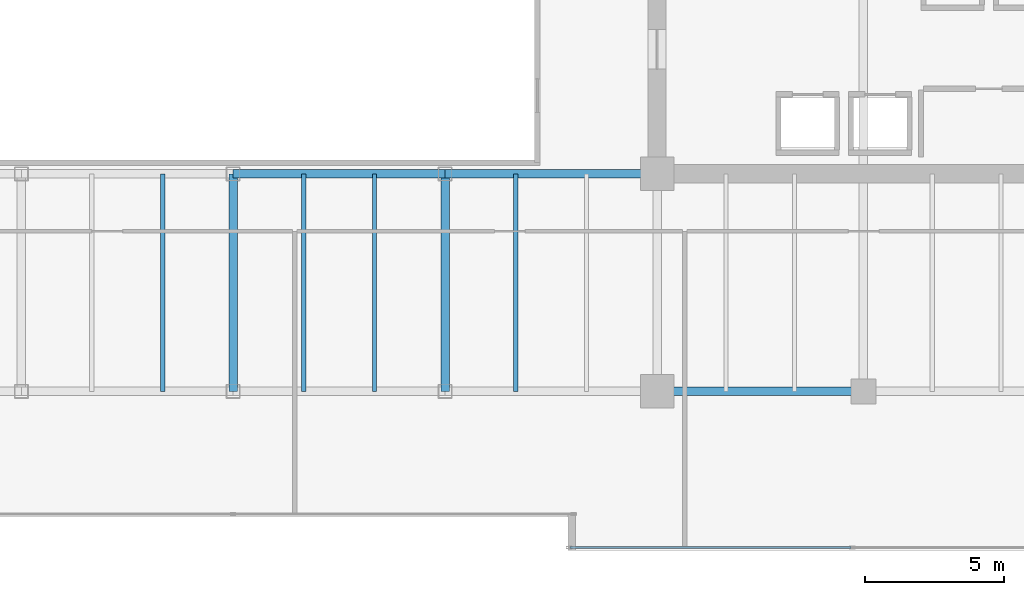
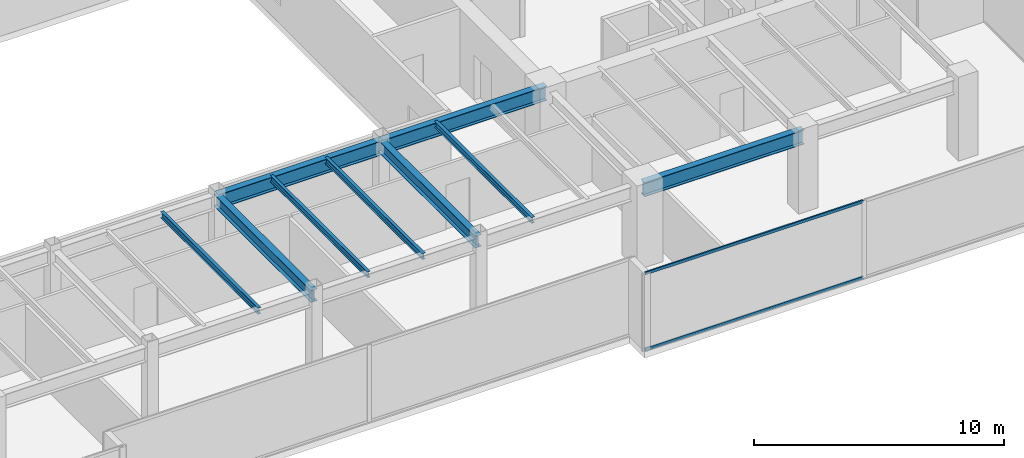
# One storey, part 11 of 30: 9 beams, 2 members, 1 element without a shape of its own.
"""IFC4 building model written with IfcOpenShell, lengths in metres."""

from ifc_helpers import new_model, si_unit, direction, frame, origin, origin_2d, place, context, subcontext, project, spatial, hollow_rectangle, i_section, extrude, source, transform, mapped, material, layer, layer_set, material_profile, profile_set, type_object, type_shapes, element, aggregate, save


model = new_model("IFC4")

# Units and contexts
model_context = context("Model", 3, precision=1e-05, world=origin(), true_north=direction((0.0, 1.0)))
body_context = subcontext(model_context, "Body", "Model", "MODEL_VIEW")
ifc_project = project(units=[si_unit("LENGTHUNIT", "METRE"), si_unit("AREAUNIT", "SQUARE_METRE"), si_unit("VOLUMEUNIT", "CUBIC_METRE"), si_unit("PLANEANGLEUNIT", "RADIAN"), si_unit("MASSUNIT", "GRAM", prefix="KILO")], contexts=[model_context])

# Site, building, storey
site_placement = place(None, origin())
site = spatial("IfcSite", under=ifc_project, at=site_placement, CompositionType="ELEMENT")
building_placement = place(site_placement, origin())
building = spatial("IfcBuilding", under=site, at=building_placement, Name="Haelvirn Gate Laboratories", CompositionType="ELEMENT")
storey_placement = place(building_placement, frame((0.0, 0.0, 187.10009765625)))
storey = spatial("IfcBuildingStorey", under=building, at=storey_placement, Name="L45", CompositionType="ELEMENT", Elevation=187.10009765625)

# Beams
ifc_material_1 = material(Name="Steel SM355", Category="steel")
ifc_material_profile_1 = material_profile(ifc_material_1, i_section(OverallWidth=0.300048828125, OverallDepth=0.699951171875, WebThickness=0.012939453125, FlangeThickness=0.02392578125, at=origin_2d()), Name="H-700x300x13x24")
ifc_profile_set_1 = profile_set([ifc_material_profile_1], Name="Steel SM355")
beam_type_1 = type_object("IfcBeamType", Name="BM-G-700", PredefinedType="BEAM", material=ifc_profile_set_1)
shared_shape_1 = source(origin(), body_context, "Body", "SweptSolid", [
    extrude(i_section(OverallWidth=0.300048828125, OverallDepth=0.699951171875, WebThickness=0.012939453125, FlangeThickness=0.02392578125, at=origin_2d()), origin(), (0.0, 0.0, 1.0), 7.39990234375),
])
beam_placement = place(storey_placement, frame((52.60009765625, 7.0, 3.43994140625), z_axis=(1.0, 0.0, 0.0), x_axis=(0.0, 1.0, 0.0)))
element("IfcBeam", 1, at=beam_placement, inside=storey, type_object=beam_type_1, Name="L45 Primary Girder Y7.0 (52.6-60.0)", PredefinedType="BEAM", context=body_context, shape_type="MappedRepresentation", body=[
    mapped(shared_shape_1, transform((0.0, 0.0, 0.0), scale=1.0)),
])
shared_shape_2 = source(origin(), body_context, "Body", "SweptSolid", [
    extrude(i_section(OverallWidth=0.300048828125, OverallDepth=0.699951171875, WebThickness=0.012939453125, FlangeThickness=0.02392578125, at=origin_2d()), origin(), (0.0, 0.0, 1.0), 7.60009765625),
])
type_shapes(beam_type_1, [shared_shape_1, shared_shape_2])
for number, where, z_axis, x_axis, name in (
    (2, (37.39990234375, 14.800048828125, 3.43994140625), (1.0, 0.0, 0.0), (0.0, 1.0, 0.0), "L45 Primary Girder Y14.8 (37.4-45.0)"),
    (3, (45.0, 14.800048828125, 3.43994140625), (1.0, 0.0, 0.0), (0.0, 1.0, 0.0), "L45 Primary Girder Y14.8 (45.0-52.6)"),
):
    element("IfcBeam", number, at=place(storey_placement, frame(where, z_axis=z_axis, x_axis=x_axis)), inside=storey, type_object=beam_type_1, Name=name, PredefinedType="BEAM", context=body_context, shape_type="MappedRepresentation", body=[
        mapped(shared_shape_2, transform((0.0, 0.0, 0.0), scale=1.0)),
    ])
ifc_material_profile_2 = material_profile(ifc_material_1, i_section(OverallWidth=0.14990234375, OverallDepth=0.300048828125, WebThickness=0.006591796875, FlangeThickness=0.009033203125, at=origin_2d()), Name="H-300x150x6.5x9")
ifc_profile_set_2 = profile_set([ifc_material_profile_2], Name="Steel SM355")
beam_type_2 = type_object("IfcBeamType", Name="BM-J-300", PredefinedType="JOIST", material=ifc_profile_set_2)
shared_shape_3 = source(origin(), body_context, "Body", "SweptSolid", [
    extrude(i_section(OverallWidth=0.14990234375, OverallDepth=0.300048828125, WebThickness=0.006591796875, FlangeThickness=0.009033203125, at=origin_2d()), origin(), (0.0, 0.0, 1.0), 7.800048828125),
])
type_shapes(beam_type_2, [shared_shape_3])
for number, where, z_axis, x_axis, name in (
    (4, (34.8701171875, 7.0, 3.639892578125), (0.0, 1.0, 0.0), (-1.0, 0.0, 0.0), "L45 Composite Lab Joist South X34.87"),
    (5, (39.929931640625, 7.0, 3.639892578125), (0.0, 1.0, 0.0), (-1.0, 0.0, 0.0), "L45 Composite Lab Joist South X39.93"),
    (6, (42.469970703125, 7.0, 3.639892578125), (0.0, 1.0, 0.0), (-1.0, 0.0, 0.0), "L45 Composite Lab Joist South X42.47"),
    (7, (47.530029296875, 7.0, 3.639892578125), (0.0, 1.0, 0.0), (-1.0, 0.0, 0.0), "L45 Composite Lab Joist South X47.53"),
):
    element("IfcBeam", number, at=place(storey_placement, frame(where, z_axis=z_axis, x_axis=x_axis)), inside=storey, type_object=beam_type_2, Name=name, PredefinedType="JOIST", context=body_context, shape_type="MappedRepresentation", body=[
        mapped(shared_shape_3, transform((0.0, 0.0, 0.0), scale=1.0)),
    ])
ifc_material_profile_3 = material_profile(ifc_material_1, i_section(OverallWidth=0.300048828125, OverallDepth=0.587890625, WebThickness=0.011962890625, FlangeThickness=0.02001953125, at=origin_2d()), Name="H-588x300x12x20")
ifc_profile_set_3 = profile_set([ifc_material_profile_3], Name="Steel SM355")
beam_type_3 = type_object("IfcBeamType", Name="BM-G-588", PredefinedType="BEAM", material=ifc_profile_set_3)
shared_shape_4 = source(origin(), body_context, "Body", "SweptSolid", [
    extrude(i_section(OverallWidth=0.300048828125, OverallDepth=0.587890625, WebThickness=0.011962890625, FlangeThickness=0.02001953125, at=origin_2d()), origin(), (0.0, 0.0, 1.0), 7.800048828125),
])
type_shapes(beam_type_3, [shared_shape_4])
for number, where, z_axis, x_axis, name in (
    (8, (37.39990234375, 7.0, 3.495849609375), (0.0, 1.0, 0.0), (-1.0, 0.0, 0.0), "L45 Frame Girder X37.4 (7.0-14.8)"),
    (9, (45.0, 7.0, 3.495849609375), (0.0, 1.0, 0.0), (-1.0, 0.0, 0.0), "L45 Frame Girder X45.0 (7.0-14.8)"),
):
    element("IfcBeam", number, at=place(storey_placement, frame(where, z_axis=z_axis, x_axis=x_axis)), inside=storey, type_object=beam_type_3, Name=name, PredefinedType="BEAM", context=body_context, shape_type="MappedRepresentation", body=[
        mapped(shared_shape_4, transform((0.0, 0.0, 0.0), scale=1.0)),
    ])

# Curtain wall, members
ifc_material_2 = material(Name="Anodised bronze unitised aluminium & triple low-E glass", Category="aluminium")
ifc_layer = layer(ifc_material_2, 0.179931640625, Name="CW-SYS-3")
ifc_layer_set = layer_set([ifc_layer], Name="Anodised bronze unitised aluminium & triple low-E glass")
curtain_wall_type = type_object("IfcCurtainWallType", Name="CW-SYS-3", PredefinedType="NOTDEFINED", material=ifc_layer_set)
curtain_wall_placement = place(storey_placement, origin())
curtain_wall = element("IfcCurtainWall", 10, at=curtain_wall_placement, inside=storey, type_object=curtain_wall_type, Name="L45 Unitised Curtain Wall CW-L45-P0-E04-1", PredefinedType="NOTDEFINED")
ifc_material_3 = material(Name="Extruded aluminium 6063-T6 (anodised bronze)", Category="aluminium")
ifc_material_profile_4 = material_profile(ifc_material_3, hollow_rectangle(XDim=0.06494140625, YDim=0.139892578125, WallThickness=0.00390625, at=origin_2d()), Name="CWT-140x65x4")
ifc_profile_set_4 = profile_set([ifc_material_profile_4], Name="Extruded aluminium 6063-T6 (anodised bronze)")
member_type = type_object("IfcMemberType", Name="CWT-T140", PredefinedType="USERDEFINED", material=ifc_profile_set_4)
shared_shape_5 = source(origin(), body_context, "Body", "SweptSolid", [
    extrude(hollow_rectangle(XDim=0.06494140625, YDim=0.139892578125, WallThickness=0.00390625, at=origin_2d()), origin(), (0.0, 0.0, 1.0), 10.08740234375),
])
type_shapes(member_type, [shared_shape_5])
member_1_placement = place(storey_placement, frame((49.47509765625, 1.39990234375, 0.032470703125), z_axis=(1.0, 0.0, 0.0), x_axis=(0.0, 1.0, 0.0)))
member_1 = element("IfcMember", 11, at=member_1_placement, type_object=member_type, Name="CW3 transom 1.1", ObjectType="TRANSOM", PredefinedType="USERDEFINED", context=body_context, shape_type="MappedRepresentation", body=[
    mapped(shared_shape_5, transform((0.0, 0.0, 0.0), scale=1.0)),
])
member_2_placement = place(storey_placement, frame((49.47509765625, 1.39990234375, 3.75732421875), z_axis=(1.0, 0.0, 0.0), x_axis=(0.0, 1.0, 0.0)))
member_2 = element("IfcMember", 12, at=member_2_placement, type_object=member_type, Name="CW3 transom 1.2", ObjectType="TRANSOM", PredefinedType="USERDEFINED", context=body_context, shape_type="MappedRepresentation", body=[
    mapped(shared_shape_5, transform((0.0, 0.0, 0.0), scale=1.0)),
])
aggregate(curtain_wall, [member_1, member_2])

save(model, "model.ifc")
